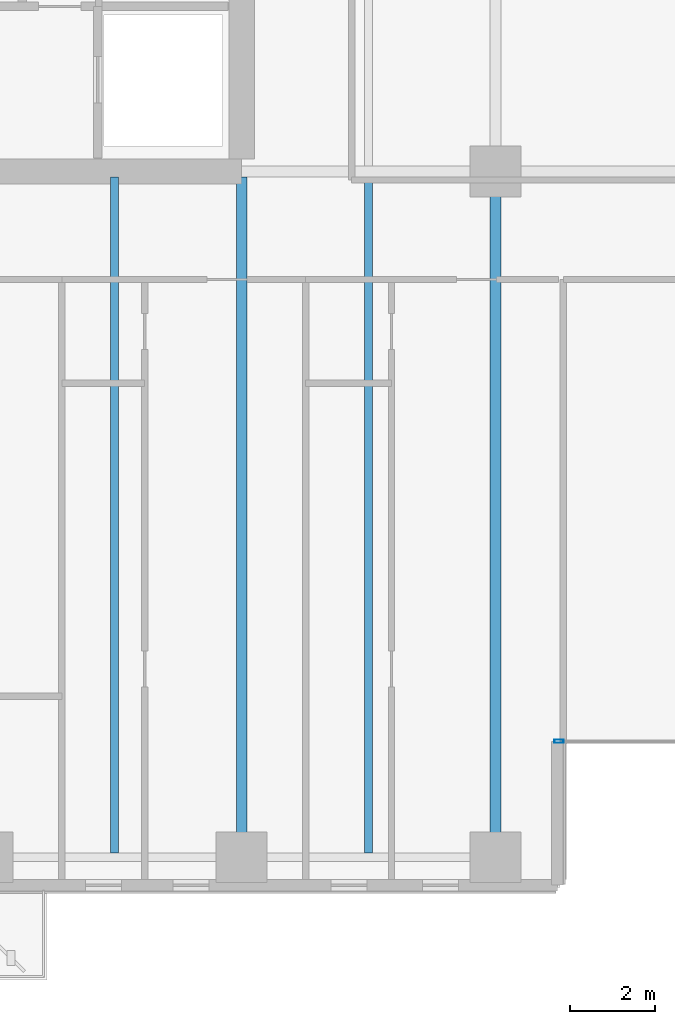
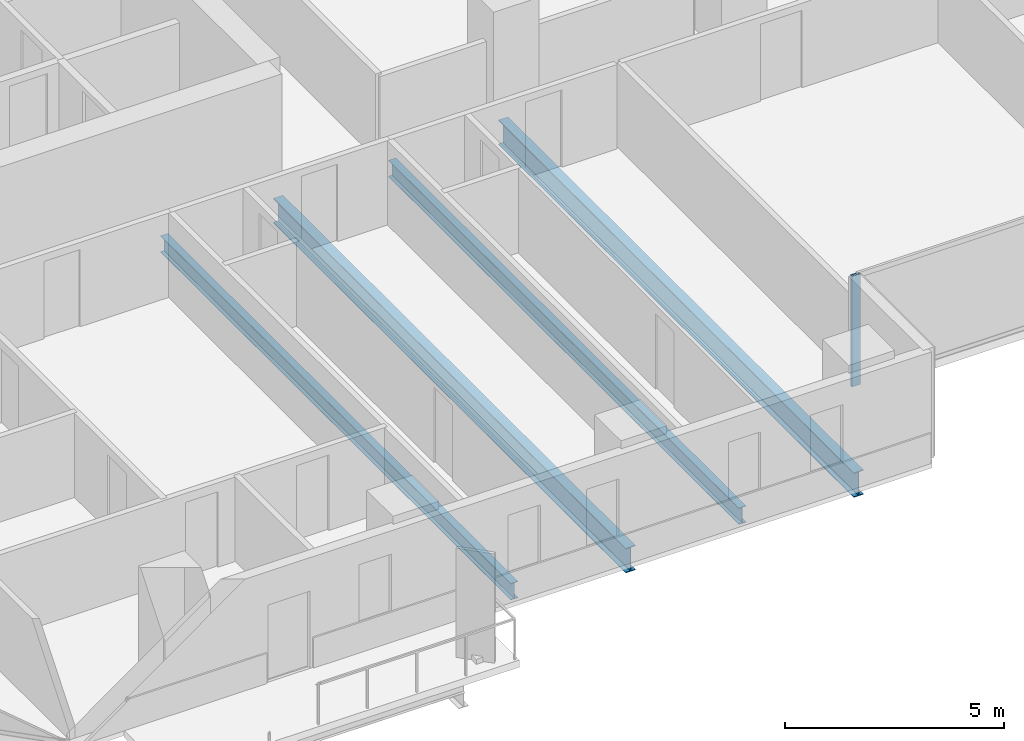
# One storey, part 4 of 33: 4 beams, 1 member, 1 element without a shape of its own.
"""IFC4 building model written with IfcOpenShell, lengths in metres."""

from ifc_helpers import new_model, si_unit, direction, frame, origin, origin_2d, place, context, subcontext, project, spatial, hollow_rectangle, i_section, extrude, material, layer, layer_set, material_profile, profile_set, type_object, element, aggregate, save


model = new_model("IFC4")

# Units and contexts
model_context = context("Model", 3, precision=1e-05, world=origin(), true_north=direction((0.0, 1.0)))
body_context = subcontext(model_context, "Body", "Model", "MODEL_VIEW")
ifc_project = project(units=[si_unit("LENGTHUNIT", "METRE"), si_unit("AREAUNIT", "SQUARE_METRE"), si_unit("VOLUMEUNIT", "CUBIC_METRE"), si_unit("PLANEANGLEUNIT", "RADIAN"), si_unit("MASSUNIT", "GRAM", prefix="KILO")], contexts=[model_context])

# Site, building, storey
site_placement = place(None, origin())
site = spatial("IfcSite", under=ifc_project, at=site_placement, CompositionType="ELEMENT")
building_placement = place(site_placement, origin())
building = spatial("IfcBuilding", under=site, at=building_placement, Name="Tanjung Sevakor Pilgrim Tower", CompositionType="ELEMENT")
storey_placement = place(building_placement, frame((0.0, 0.0, 35.639892578125)))
storey = spatial("IfcBuildingStorey", under=building, at=storey_placement, Name="L09", CompositionType="ELEMENT", Elevation=35.639892578125)

# Beams
ifc_material_1 = material(Name="Steel S355J2", Category="steel")
ifc_material_profile_1 = material_profile(ifc_material_1, i_section(OverallWidth=0.25439453125, OverallDepth=0.6875, WebThickness=0.01318359375, FlangeThickness=0.02099609375, FilletRadius=0.01513671875, at=origin_2d()))
ifc_profile_set_1 = profile_set([ifc_material_profile_1], Name="Steel S355J2")
beam_type_1 = type_object("IfcBeamType", Name="BM-B-G2-UB_686x254x152", PredefinedType="BEAM", material=ifc_profile_set_1)
beam_1_placement = place(storey_placement, frame((36.0, 8.39990234375, -0.5634765625), z_axis=(0.0, 1.0, 0.0), x_axis=(-1.0, 0.0, 0.0)))
element("IfcBeam", 1, at=beam_1_placement, inside=storey, type_object=beam_type_1, Name="L09 MAIN Girder 005", PredefinedType="BEAM", context=body_context, shape_type="SweptSolid", body=[
    extrude(i_section(OverallWidth=0.25439453125, OverallDepth=0.6875, WebThickness=0.01318359375, FlangeThickness=0.02099609375, FilletRadius=0.01513671875, at=origin_2d()), origin(), (0.0, 0.0, 1.0), 16.066162109375),
])
beam_2_placement = place(storey_placement, frame((42.0, 8.39990234375, -0.5634765625), z_axis=(0.0, 1.0, 0.0), x_axis=(-1.0, 0.0, 0.0)))
element("IfcBeam", 2, at=beam_2_placement, inside=storey, type_object=beam_type_1, Name="L09 MAIN Girder 010", PredefinedType="BEAM", context=body_context, shape_type="SweptSolid", body=[
    extrude(i_section(OverallWidth=0.25439453125, OverallDepth=0.6875, WebThickness=0.01318359375, FlangeThickness=0.02099609375, FilletRadius=0.01513671875, at=origin_2d()), origin(), (0.0, 0.0, 1.0), 16.2001953125),
])
ifc_material_2 = material(Name="Steel S355J2", Category="steel")
ifc_material_profile_2 = material_profile(ifc_material_2, i_section(OverallWidth=0.19140625, OverallDepth=0.4599609375, WebThickness=0.010009765625, FlangeThickness=0.01611328125, FilletRadius=0.01025390625, at=origin_2d()))
ifc_profile_set_2 = profile_set([ifc_material_profile_2], Name="Steel S355J2")
beam_type_2 = type_object("IfcBeamType", Name="BM-B-J2-UB_457x191x82", PredefinedType="JOIST", material=ifc_profile_set_2)
for number, where, z_axis, x_axis, name in (
    (3, (33.0, 8.5, -0.449951171875), (0.0, 1.0, 0.0), (-1.0, 0.0, 0.0), "L09 MAIN Joist 003"),
    (4, (39.0, 8.5, -0.449951171875), (0.0, 1.0, 0.0), (-1.0, 0.0, 0.0), "L09 MAIN Joist 007"),
):
    element("IfcBeam", number, at=place(storey_placement, frame(where, z_axis=z_axis, x_axis=x_axis)), inside=storey, type_object=beam_type_2, Name=name, PredefinedType="JOIST", context=body_context, shape_type="SweptSolid", body=[
        extrude(i_section(OverallWidth=0.19140625, OverallDepth=0.4599609375, WebThickness=0.010009765625, FlangeThickness=0.01611328125, FilletRadius=0.01025390625, at=origin_2d()), origin(), (0.0, 0.0, 1.0), 15.966064453125),
    ])

# Curtain wall, member
ifc_material_3 = material(Name="Aluminium 6063-T6 and Low-E Glass", Category="aluminium")
ifc_layer = layer(ifc_material_3, 0.179931640625)
ifc_layer_set = layer_set([ifc_layer], Name="CW-SYS-CLEFT")
curtain_wall_type = type_object("IfcCurtainWallType", Name="CW-SYS-CLEFT", PredefinedType="NOTDEFINED", material=ifc_layer_set)
curtain_wall_placement = place(storey_placement, origin())
curtain_wall = element("IfcCurtainWall", 5, at=curtain_wall_placement, inside=storey, type_object=curtain_wall_type, Name="L09 Curtain Wall CW-CLF-L09-2", PredefinedType="NOTDEFINED")
ifc_material_4 = material(Name="Aluminium 6063-T6", Category="aluminium")
ifc_material_profile_3 = material_profile(ifc_material_4, hollow_rectangle(XDim=0.074951171875, YDim=0.219970703125, WallThickness=0.0048828125, at=origin_2d()))
ifc_profile_set_3 = profile_set([ifc_material_profile_3], Name="Aluminium 6063-T6")
member_type = type_object("IfcMemberType", Name="TYPE-CWM-2", PredefinedType="MULLION", material=ifc_profile_set_3)
member_placement = place(storey_placement, frame((43.49755859375, 11.139892578125, 0.0), z_axis=(0.0, 0.0, 1.0), x_axis=(0.0, 1.0, 0.0)))
member = element("IfcMember", 6, at=member_placement, type_object=member_type, Name="CW-CLF mullion 1", PredefinedType="MULLION", context=body_context, shape_type="SweptSolid", body=[
    extrude(hollow_rectangle(XDim=0.074951171875, YDim=0.219970703125, WallThickness=0.0048828125, at=origin_2d()), origin(), (0.0, 0.0, 1.0), 3.080078125),
])
aggregate(curtain_wall, [member])

save(model, "model.ifc")
